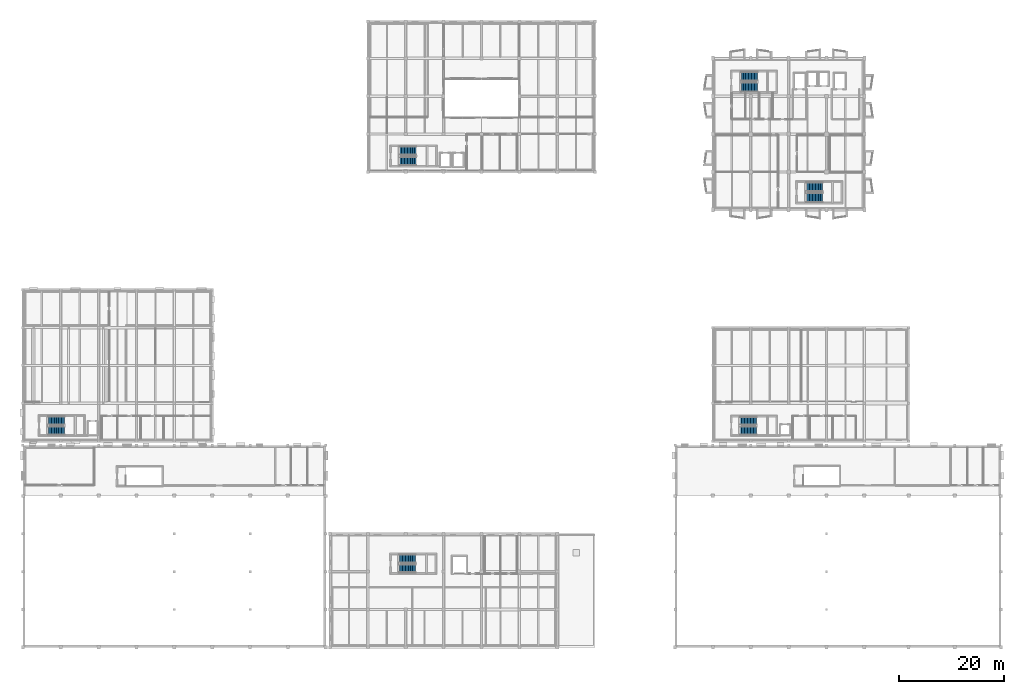
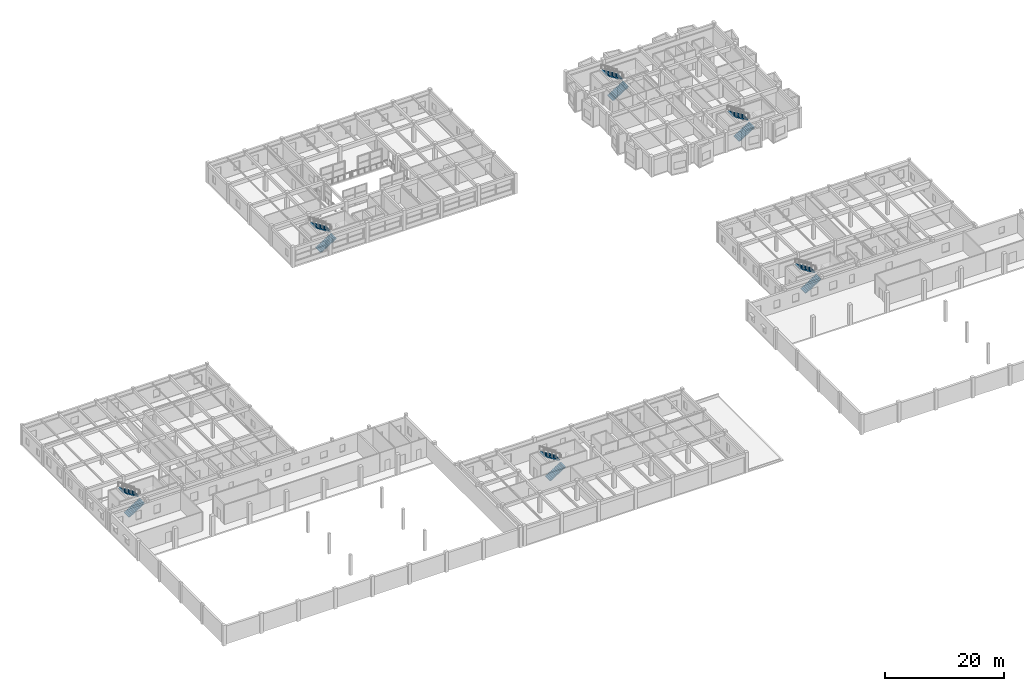
# One storey, part 40 of 49: 12 stair flights, 6 elements without a shape of their own.
"""IFC4 building model written with IfcOpenShell, lengths in metres."""

from ifc_helpers import new_model, si_unit, direction, frame, origin, place, context, subcontext, project, spatial, polyline, outline, extrude, material, type_object, element, aggregate, save


model = new_model("IFC4")

# Units and contexts
model_context = context("Model", 3, precision=1e-05, world=origin(), true_north=direction((0.0, 1.0)))
body_context = subcontext(model_context, "Body", "Model", "MODEL_VIEW")
ifc_project = project(units=[si_unit("LENGTHUNIT", "METRE"), si_unit("AREAUNIT", "SQUARE_METRE"), si_unit("VOLUMEUNIT", "CUBIC_METRE"), si_unit("PLANEANGLEUNIT", "RADIAN"), si_unit("MASSUNIT", "GRAM", prefix="KILO")], contexts=[model_context])

# Site, building, storey
site_placement = place(None, origin())
site = spatial("IfcSite", under=ifc_project, at=site_placement, CompositionType="ELEMENT")
building_placement = place(site_placement, origin())
building = spatial("IfcBuilding", under=site, at=building_placement, Name="Bramveld Media Centre", CompositionType="ELEMENT")
storey_placement = place(building_placement, frame((0.0, 0.0, 9.60009765625)))
storey = spatial("IfcBuildingStorey", under=building, at=storey_placement, Name="L02", CompositionType="ELEMENT", Elevation=9.60009765625)

# Stair, stair flights
ifc_material_1 = material(Name="Concrete C40/50", Category="concrete")
stair_type_1 = type_object("IfcStairType", Name="STAIR-ST-01-24R-1800", PredefinedType="HALF_TURN_STAIR", material=ifc_material_1)
stair_1_placement = place(storey_placement, origin())
stair_1 = element("IfcStair", 1, at=stair_1_placement, inside=storey, type_object=stair_type_1, Name="L02 Core A1 Pressurized Firefighting Stair", PredefinedType="HALF_TURN_STAIR")
ifc_material_2 = material(Name="Concrete C40/50", Category="concrete")
stair_flight_type_1 = type_object("IfcStairFlightType", Name="FLIGHT-ST-01-12R-1750", PredefinedType="STRAIGHT", material=ifc_material_2)
stair_flight_1_placement = place(storey_placement, frame((136.60009765625, 106.5, 0.0), z_axis=(0.0, 0.0, 1.0), x_axis=(1.0, 0.0, 0.0)))
stair_flight_1 = element("IfcStairFlight", 2, at=stair_flight_1_placement, type_object=stair_flight_type_1, Name="ST-01 flight 1", NumberOfRisers=12, NumberOfTreads=11, PredefinedType="STRAIGHT", RiserHeight=0.175, TreadLength=0.28, context=body_context, shape_type="SweptSolid", body=[
    extrude(outline(polyline([(0.0, 0.0), (0.0, 0.175048828125), (0.280029296875, 0.175048828125), (0.280029296875, 0.35009765625), (0.56005859375, 0.35009765625), (0.56005859375, 0.52490234375), (0.840087890625, 0.52490234375), (0.840087890625, 0.699951171875), (1.1201171875, 0.699951171875), (1.1201171875, 0.875), (1.39990234375, 0.875), (1.39990234375, 1.050048828125), (1.679931640625, 1.050048828125), (1.679931640625, 1.22509765625), (1.9599609375, 1.22509765625), (1.9599609375, 1.39990234375), (2.239990234375, 1.39990234375), (2.239990234375, 1.574951171875), (2.52001953125, 1.574951171875), (2.52001953125, 1.75), (2.800048828125, 1.75), (2.800048828125, 1.925048828125), (3.080078125, 1.925048828125), (3.080078125, 2.10009765625), (3.080078125, 1.736328125), (0.3017578125, 0.0), (0.0, 0.0)])), frame((0.0, 0.89990234375, 0.0), z_axis=(0.0, -1.0, 0.0), x_axis=(1.0, 0.0, 0.0)), (0.0, 0.0, 1.0), 1.800048828125),
])
stair_flight_2_placement = place(storey_placement, frame((139.679931640625, 108.550048828125, 2.099853515625), z_axis=(0.0, 0.0, 1.0), x_axis=(-1.0, 0.0, 0.0)))
stair_flight_2 = element("IfcStairFlight", 3, at=stair_flight_2_placement, type_object=stair_flight_type_1, Name="ST-01 flight 2", NumberOfRisers=12, NumberOfTreads=11, PredefinedType="STRAIGHT", RiserHeight=0.175, TreadLength=0.28, context=body_context, shape_type="SweptSolid", body=[
    extrude(outline(polyline([(0.0, 0.0), (0.0, 0.175048828125), (0.280029296875, 0.175048828125), (0.280029296875, 0.35009765625), (0.56005859375, 0.35009765625), (0.56005859375, 0.52490234375), (0.840087890625, 0.52490234375), (0.840087890625, 0.699951171875), (1.1201171875, 0.699951171875), (1.1201171875, 0.875), (1.39990234375, 0.875), (1.39990234375, 1.050048828125), (1.679931640625, 1.050048828125), (1.679931640625, 1.22509765625), (1.9599609375, 1.22509765625), (1.9599609375, 1.39990234375), (2.239990234375, 1.39990234375), (2.239990234375, 1.574951171875), (2.52001953125, 1.574951171875), (2.52001953125, 1.75), (2.800048828125, 1.75), (2.800048828125, 1.925048828125), (3.080078125, 1.925048828125), (3.080078125, 2.10009765625), (3.080078125, 1.736328125), (0.3017578125, 0.0), (0.0, 0.0)])), frame((0.0, 0.89990234375, 0.0), z_axis=(0.0, -1.0, 0.0), x_axis=(1.0, 0.0, 0.0)), (0.0, 0.0, 1.0), 1.800048828125),
])
aggregate(stair_1, [stair_flight_1, stair_flight_2])

ifc_material_3 = material(Name="Concrete C40/50", Category="concrete")
stair_type_2 = type_object("IfcStairType", Name="STAIR-ST-02-24R-1800", PredefinedType="HALF_TURN_STAIR", material=ifc_material_3)
stair_2_placement = place(storey_placement, origin())
stair_2 = element("IfcStair", 4, at=stair_2_placement, inside=storey, type_object=stair_type_2, Name="L02 Core A2 Pressurized Escape Stair", PredefinedType="HALF_TURN_STAIR")
ifc_material_4 = material(Name="Concrete C40/50", Category="concrete")
stair_flight_type_2 = type_object("IfcStairFlightType", Name="FLIGHT-ST-02-12R-1750", PredefinedType="STRAIGHT", material=ifc_material_4)
stair_flight_3_placement = place(storey_placement, frame((149.0, 85.5, 0.0), z_axis=(0.0, 0.0, 1.0), x_axis=(1.0, 0.0, 0.0)))
stair_flight_3 = element("IfcStairFlight", 5, at=stair_flight_3_placement, type_object=stair_flight_type_2, Name="ST-02 flight 1", NumberOfRisers=12, NumberOfTreads=11, PredefinedType="STRAIGHT", RiserHeight=0.175, TreadLength=0.28, context=body_context, shape_type="SweptSolid", body=[
    extrude(outline(polyline([(0.0, 0.0), (0.0, 0.175048828125), (0.280029296875, 0.175048828125), (0.280029296875, 0.35009765625), (0.56005859375, 0.35009765625), (0.56005859375, 0.52490234375), (0.840087890625, 0.52490234375), (0.840087890625, 0.699951171875), (1.1201171875, 0.699951171875), (1.1201171875, 0.875), (1.39990234375, 0.875), (1.39990234375, 1.050048828125), (1.679931640625, 1.050048828125), (1.679931640625, 1.22509765625), (1.9599609375, 1.22509765625), (1.9599609375, 1.39990234375), (2.239990234375, 1.39990234375), (2.239990234375, 1.574951171875), (2.52001953125, 1.574951171875), (2.52001953125, 1.75), (2.800048828125, 1.75), (2.800048828125, 1.925048828125), (3.080078125, 1.925048828125), (3.080078125, 2.10009765625), (3.080078125, 1.736328125), (0.3017578125, 0.0), (0.0, 0.0)])), frame((0.0, 0.89990234375, 0.0), z_axis=(0.0, -1.0, 0.0), x_axis=(1.0, 0.0, 0.0)), (0.0, 0.0, 1.0), 1.800048828125),
])
stair_flight_4_placement = place(storey_placement, frame((152.080078125, 87.550048828125, 2.099853515625), z_axis=(0.0, 0.0, 1.0), x_axis=(-1.0, 0.0, 0.0)))
stair_flight_4 = element("IfcStairFlight", 6, at=stair_flight_4_placement, type_object=stair_flight_type_2, Name="ST-02 flight 2", NumberOfRisers=12, NumberOfTreads=11, PredefinedType="STRAIGHT", RiserHeight=0.175, TreadLength=0.28, context=body_context, shape_type="SweptSolid", body=[
    extrude(outline(polyline([(0.0, 0.0), (0.0, 0.175048828125), (0.280029296875, 0.175048828125), (0.280029296875, 0.35009765625), (0.56005859375, 0.35009765625), (0.56005859375, 0.52490234375), (0.840087890625, 0.52490234375), (0.840087890625, 0.699951171875), (1.1201171875, 0.699951171875), (1.1201171875, 0.875), (1.39990234375, 0.875), (1.39990234375, 1.050048828125), (1.679931640625, 1.050048828125), (1.679931640625, 1.22509765625), (1.9599609375, 1.22509765625), (1.9599609375, 1.39990234375), (2.239990234375, 1.39990234375), (2.239990234375, 1.574951171875), (2.52001953125, 1.574951171875), (2.52001953125, 1.75), (2.800048828125, 1.75), (2.800048828125, 1.925048828125), (3.080078125, 1.925048828125), (3.080078125, 2.10009765625), (3.080078125, 1.736328125), (0.3017578125, 0.0), (0.0, 0.0)])), frame((0.0, 0.89990234375, 0.0), z_axis=(0.0, -1.0, 0.0), x_axis=(1.0, 0.0, 0.0)), (0.0, 0.0, 1.0), 1.800048828125),
])
aggregate(stair_2, [stair_flight_3, stair_flight_4])

ifc_material_5 = material(Name="Concrete C40/50", Category="concrete")
stair_type_3 = type_object("IfcStairType", Name="STAIR-ST-04-24R-1650", PredefinedType="HALF_TURN_STAIR", material=ifc_material_5)
stair_3_placement = place(storey_placement, origin())
stair_3 = element("IfcStair", 7, at=stair_3_placement, inside=storey, type_object=stair_type_3, Name="L02 Repertory Cinema & Rooftop Terrace Stair", PredefinedType="HALF_TURN_STAIR")
ifc_material_6 = material(Name="Concrete C40/50", Category="concrete")
stair_flight_type_3 = type_object("IfcStairFlightType", Name="FLIGHT-ST-04-12R-1750", PredefinedType="STRAIGHT", material=ifc_material_6)
stair_flight_5_placement = place(storey_placement, frame((4.85009765625, 41.22509765625, 0.0), z_axis=(0.0, 0.0, 1.0), x_axis=(1.0, 0.0, 0.0)))
stair_flight_5 = element("IfcStairFlight", 8, at=stair_flight_5_placement, type_object=stair_flight_type_3, Name="ST-04 flight 1", NumberOfRisers=12, NumberOfTreads=11, PredefinedType="STRAIGHT", RiserHeight=0.175, TreadLength=0.28, context=body_context, shape_type="SweptSolid", body=[
    extrude(outline(polyline([(0.0, 0.0), (0.0, 0.175048828125), (0.280029296875, 0.175048828125), (0.280029296875, 0.35009765625), (0.56005859375, 0.35009765625), (0.56005859375, 0.52490234375), (0.840087890625, 0.52490234375), (0.840087890625, 0.699951171875), (1.1201171875, 0.699951171875), (1.1201171875, 0.875), (1.39990234375, 0.875), (1.39990234375, 1.050048828125), (1.679931640625, 1.050048828125), (1.679931640625, 1.22509765625), (1.9599609375, 1.22509765625), (1.9599609375, 1.39990234375), (2.239990234375, 1.39990234375), (2.239990234375, 1.574951171875), (2.52001953125, 1.574951171875), (2.52001953125, 1.75), (2.800048828125, 1.75), (2.800048828125, 1.925048828125), (3.080078125, 1.925048828125), (3.080078125, 2.10009765625), (3.080078125, 1.736328125), (0.3017578125, 0.0), (0.0, 0.0)])), frame((0.0, 0.824951171875, 0.0), z_axis=(0.0, -1.0, 0.0), x_axis=(1.0, 0.0, 0.0)), (0.0, 0.0, 1.0), 1.64990234375),
])
stair_flight_6_placement = place(storey_placement, frame((7.929931640625, 43.125, 2.099853515625), z_axis=(0.0, 0.0, 1.0), x_axis=(-1.0, 0.0, 0.0)))
stair_flight_6 = element("IfcStairFlight", 9, at=stair_flight_6_placement, type_object=stair_flight_type_3, Name="ST-04 flight 2", NumberOfRisers=12, NumberOfTreads=11, PredefinedType="STRAIGHT", RiserHeight=0.175, TreadLength=0.28, context=body_context, shape_type="SweptSolid", body=[
    extrude(outline(polyline([(0.0, 0.0), (0.0, 0.175048828125), (0.280029296875, 0.175048828125), (0.280029296875, 0.35009765625), (0.56005859375, 0.35009765625), (0.56005859375, 0.52490234375), (0.840087890625, 0.52490234375), (0.840087890625, 0.699951171875), (1.1201171875, 0.699951171875), (1.1201171875, 0.875), (1.39990234375, 0.875), (1.39990234375, 1.050048828125), (1.679931640625, 1.050048828125), (1.679931640625, 1.22509765625), (1.9599609375, 1.22509765625), (1.9599609375, 1.39990234375), (2.239990234375, 1.39990234375), (2.239990234375, 1.574951171875), (2.52001953125, 1.574951171875), (2.52001953125, 1.75), (2.800048828125, 1.75), (2.800048828125, 1.925048828125), (3.080078125, 1.925048828125), (3.080078125, 2.10009765625), (3.080078125, 1.736328125), (0.3017578125, 0.0), (0.0, 0.0)])), frame((0.0, 0.824951171875, 0.0), z_axis=(0.0, -1.0, 0.0), x_axis=(1.0, 0.0, 0.0)), (0.0, 0.0, 1.0), 1.64990234375),
])
aggregate(stair_3, [stair_flight_5, stair_flight_6])

ifc_material_7 = material(Name="Concrete C40/50", Category="concrete")
stair_type_4 = type_object("IfcStairType", Name="STAIR-ST-06-24R-1600", PredefinedType="HALF_TURN_STAIR", material=ifc_material_7)
stair_4_placement = place(storey_placement, origin())
stair_4 = element("IfcStair", 10, at=stair_4_placement, inside=storey, type_object=stair_type_4, Name="L02 Mediatheque & Vault Wing Stair", PredefinedType="HALF_TURN_STAIR")
ifc_material_8 = material(Name="Concrete C40/50", Category="concrete")
stair_flight_type_4 = type_object("IfcStairFlightType", Name="FLIGHT-ST-06-12R-1750", PredefinedType="STRAIGHT", material=ifc_material_8)
stair_flight_7_placement = place(storey_placement, frame((71.60009765625, 15.0, 0.0), z_axis=(0.0, 0.0, 1.0), x_axis=(1.0, 0.0, 0.0)))
stair_flight_7 = element("IfcStairFlight", 11, at=stair_flight_7_placement, type_object=stair_flight_type_4, Name="ST-06 flight 1", NumberOfRisers=12, NumberOfTreads=11, PredefinedType="STRAIGHT", RiserHeight=0.175, TreadLength=0.28, context=body_context, shape_type="SweptSolid", body=[
    extrude(outline(polyline([(0.0, 0.0), (0.0, 0.175048828125), (0.280029296875, 0.175048828125), (0.280029296875, 0.35009765625), (0.56005859375, 0.35009765625), (0.56005859375, 0.52490234375), (0.840087890625, 0.52490234375), (0.840087890625, 0.699951171875), (1.1201171875, 0.699951171875), (1.1201171875, 0.875), (1.39990234375, 0.875), (1.39990234375, 1.050048828125), (1.679931640625, 1.050048828125), (1.679931640625, 1.22509765625), (1.9599609375, 1.22509765625), (1.9599609375, 1.39990234375), (2.239990234375, 1.39990234375), (2.239990234375, 1.574951171875), (2.52001953125, 1.574951171875), (2.52001953125, 1.75), (2.800048828125, 1.75), (2.800048828125, 1.925048828125), (3.080078125, 1.925048828125), (3.080078125, 2.10009765625), (3.080078125, 1.736328125), (0.3017578125, 0.0), (0.0, 0.0)])), frame((0.0, 0.800048828125, 0.0), z_axis=(0.0, -1.0, 0.0), x_axis=(1.0, 0.0, 0.0)), (0.0, 0.0, 1.0), 1.60009765625),
])
stair_flight_8_placement = place(storey_placement, frame((74.679931640625, 16.85009765625, 2.099853515625), z_axis=(0.0, 0.0, 1.0), x_axis=(-1.0, 0.0, 0.0)))
stair_flight_8 = element("IfcStairFlight", 12, at=stair_flight_8_placement, type_object=stair_flight_type_4, Name="ST-06 flight 2", NumberOfRisers=12, NumberOfTreads=11, PredefinedType="STRAIGHT", RiserHeight=0.175, TreadLength=0.28, context=body_context, shape_type="SweptSolid", body=[
    extrude(outline(polyline([(0.0, 0.0), (0.0, 0.175048828125), (0.280029296875, 0.175048828125), (0.280029296875, 0.35009765625), (0.56005859375, 0.35009765625), (0.56005859375, 0.52490234375), (0.840087890625, 0.52490234375), (0.840087890625, 0.699951171875), (1.1201171875, 0.699951171875), (1.1201171875, 0.875), (1.39990234375, 0.875), (1.39990234375, 1.050048828125), (1.679931640625, 1.050048828125), (1.679931640625, 1.22509765625), (1.9599609375, 1.22509765625), (1.9599609375, 1.39990234375), (2.239990234375, 1.39990234375), (2.239990234375, 1.574951171875), (2.52001953125, 1.574951171875), (2.52001953125, 1.75), (2.800048828125, 1.75), (2.800048828125, 1.925048828125), (3.080078125, 1.925048828125), (3.080078125, 2.10009765625), (3.080078125, 1.736328125), (0.3017578125, 0.0), (0.0, 0.0)])), frame((0.0, 0.800048828125, 0.0), z_axis=(0.0, -1.0, 0.0), x_axis=(1.0, 0.0, 0.0)), (0.0, 0.0, 1.0), 1.60009765625),
])
aggregate(stair_4, [stair_flight_7, stair_flight_8])

ifc_material_9 = material(Name="Concrete C40/50", Category="concrete")
stair_type_5 = type_object("IfcStairType", Name="STAIR-ST-07-24R-1700", PredefinedType="HALF_TURN_STAIR", material=ifc_material_9)
stair_5_placement = place(storey_placement, origin())
stair_5 = element("IfcStair", 13, at=stair_5_placement, inside=storey, type_object=stair_type_5, Name="L02 Exhibition & Sound Lab Primary Stair", PredefinedType="HALF_TURN_STAIR")
ifc_material_10 = material(Name="Concrete C40/50", Category="concrete")
stair_flight_type_5 = type_object("IfcStairFlightType", Name="FLIGHT-ST-07-12R-1750", PredefinedType="STRAIGHT", material=ifc_material_10)
stair_flight_9_placement = place(storey_placement, frame((71.699951171875, 92.449951171875, 0.0), z_axis=(0.0, 0.0, 1.0), x_axis=(1.0, 0.0, 0.0)))
stair_flight_9 = element("IfcStairFlight", 14, at=stair_flight_9_placement, type_object=stair_flight_type_5, Name="ST-07 flight 1", NumberOfRisers=12, NumberOfTreads=11, PredefinedType="STRAIGHT", RiserHeight=0.175, TreadLength=0.28, context=body_context, shape_type="SweptSolid", body=[
    extrude(outline(polyline([(0.0, 0.0), (0.0, 0.175048828125), (0.280029296875, 0.175048828125), (0.280029296875, 0.35009765625), (0.56005859375, 0.35009765625), (0.56005859375, 0.52490234375), (0.840087890625, 0.52490234375), (0.840087890625, 0.699951171875), (1.1201171875, 0.699951171875), (1.1201171875, 0.875), (1.39990234375, 0.875), (1.39990234375, 1.050048828125), (1.679931640625, 1.050048828125), (1.679931640625, 1.22509765625), (1.9599609375, 1.22509765625), (1.9599609375, 1.39990234375), (2.239990234375, 1.39990234375), (2.239990234375, 1.574951171875), (2.52001953125, 1.574951171875), (2.52001953125, 1.75), (2.800048828125, 1.75), (2.800048828125, 1.925048828125), (3.080078125, 1.925048828125), (3.080078125, 2.10009765625), (3.080078125, 1.736328125), (0.3017578125, 0.0), (0.0, 0.0)])), frame((0.0, 0.85009765625, 0.0), z_axis=(0.0, -1.0, 0.0), x_axis=(1.0, 0.0, 0.0)), (0.0, 0.0, 1.0), 1.699951171875),
])
stair_flight_10_placement = place(storey_placement, frame((74.780029296875, 94.39990234375, 2.099853515625), z_axis=(0.0, 0.0, 1.0), x_axis=(-1.0, 0.0, 0.0)))
stair_flight_10 = element("IfcStairFlight", 15, at=stair_flight_10_placement, type_object=stair_flight_type_5, Name="ST-07 flight 2", NumberOfRisers=12, NumberOfTreads=11, PredefinedType="STRAIGHT", RiserHeight=0.175, TreadLength=0.28, context=body_context, shape_type="SweptSolid", body=[
    extrude(outline(polyline([(0.0, 0.0), (0.0, 0.175048828125), (0.280029296875, 0.175048828125), (0.280029296875, 0.35009765625), (0.56005859375, 0.35009765625), (0.56005859375, 0.52490234375), (0.840087890625, 0.52490234375), (0.840087890625, 0.699951171875), (1.1201171875, 0.699951171875), (1.1201171875, 0.875), (1.39990234375, 0.875), (1.39990234375, 1.050048828125), (1.679931640625, 1.050048828125), (1.679931640625, 1.22509765625), (1.9599609375, 1.22509765625), (1.9599609375, 1.39990234375), (2.239990234375, 1.39990234375), (2.239990234375, 1.574951171875), (2.52001953125, 1.574951171875), (2.52001953125, 1.75), (2.800048828125, 1.75), (2.800048828125, 1.925048828125), (3.080078125, 1.925048828125), (3.080078125, 2.10009765625), (3.080078125, 1.736328125), (0.3017578125, 0.0), (0.0, 0.0)])), frame((0.0, 0.85009765625, 0.0), z_axis=(0.0, -1.0, 0.0), x_axis=(1.0, 0.0, 0.0)), (0.0, 0.0, 1.0), 1.699951171875),
])
aggregate(stair_5, [stair_flight_9, stair_flight_10])

ifc_material_11 = material(Name="Concrete C40/50", Category="concrete")
stair_type_6 = type_object("IfcStairType", Name="STAIR-ST-08-24R-1600", PredefinedType="HALF_TURN_STAIR", material=ifc_material_11)
stair_6_placement = place(storey_placement, origin())
stair_6 = element("IfcStair", 16, at=stair_6_placement, inside=storey, type_object=stair_type_6, Name="L02 Post-Production & Education Wing Stair", PredefinedType="HALF_TURN_STAIR")
ifc_material_12 = material(Name="Concrete C40/50", Category="concrete")
stair_flight_type_6 = type_object("IfcStairFlightType", Name="FLIGHT-ST-08-12R-1750", PredefinedType="STRAIGHT", material=ifc_material_12)
stair_flight_11_placement = place(storey_placement, frame((136.39990234375, 41.199951171875, 0.0), z_axis=(0.0, 0.0, 1.0), x_axis=(1.0, 0.0, 0.0)))
stair_flight_11 = element("IfcStairFlight", 17, at=stair_flight_11_placement, type_object=stair_flight_type_6, Name="ST-08 flight 1", NumberOfRisers=12, NumberOfTreads=11, PredefinedType="STRAIGHT", RiserHeight=0.175, TreadLength=0.28, context=body_context, shape_type="SweptSolid", body=[
    extrude(outline(polyline([(0.0, 0.0), (0.0, 0.175048828125), (0.280029296875, 0.175048828125), (0.280029296875, 0.35009765625), (0.56005859375, 0.35009765625), (0.56005859375, 0.52490234375), (0.840087890625, 0.52490234375), (0.840087890625, 0.699951171875), (1.1201171875, 0.699951171875), (1.1201171875, 0.875), (1.39990234375, 0.875), (1.39990234375, 1.050048828125), (1.679931640625, 1.050048828125), (1.679931640625, 1.22509765625), (1.9599609375, 1.22509765625), (1.9599609375, 1.39990234375), (2.239990234375, 1.39990234375), (2.239990234375, 1.574951171875), (2.52001953125, 1.574951171875), (2.52001953125, 1.75), (2.800048828125, 1.75), (2.800048828125, 1.925048828125), (3.080078125, 1.925048828125), (3.080078125, 2.10009765625), (3.080078125, 1.736328125), (0.3017578125, 0.0), (0.0, 0.0)])), frame((0.0, 0.800048828125, 0.0), z_axis=(0.0, -1.0, 0.0), x_axis=(1.0, 0.0, 0.0)), (0.0, 0.0, 1.0), 1.60009765625),
])
stair_flight_12_placement = place(storey_placement, frame((139.47998046875, 43.050048828125, 2.099853515625), z_axis=(0.0, 0.0, 1.0), x_axis=(-1.0, 0.0, 0.0)))
stair_flight_12 = element("IfcStairFlight", 18, at=stair_flight_12_placement, type_object=stair_flight_type_6, Name="ST-08 flight 2", NumberOfRisers=12, NumberOfTreads=11, PredefinedType="STRAIGHT", RiserHeight=0.175, TreadLength=0.28, context=body_context, shape_type="SweptSolid", body=[
    extrude(outline(polyline([(0.0, 0.0), (0.0, 0.175048828125), (0.280029296875, 0.175048828125), (0.280029296875, 0.35009765625), (0.56005859375, 0.35009765625), (0.56005859375, 0.52490234375), (0.840087890625, 0.52490234375), (0.840087890625, 0.699951171875), (1.1201171875, 0.699951171875), (1.1201171875, 0.875), (1.39990234375, 0.875), (1.39990234375, 1.050048828125), (1.679931640625, 1.050048828125), (1.679931640625, 1.22509765625), (1.9599609375, 1.22509765625), (1.9599609375, 1.39990234375), (2.239990234375, 1.39990234375), (2.239990234375, 1.574951171875), (2.52001953125, 1.574951171875), (2.52001953125, 1.75), (2.800048828125, 1.75), (2.800048828125, 1.925048828125), (3.080078125, 1.925048828125), (3.080078125, 2.10009765625), (3.080078125, 1.736328125), (0.3017578125, 0.0), (0.0, 0.0)])), frame((0.0, 0.800048828125, 0.0), z_axis=(0.0, -1.0, 0.0), x_axis=(1.0, 0.0, 0.0)), (0.0, 0.0, 1.0), 1.60009765625),
])
aggregate(stair_6, [stair_flight_11, stair_flight_12])

save(model, "model.ifc")
